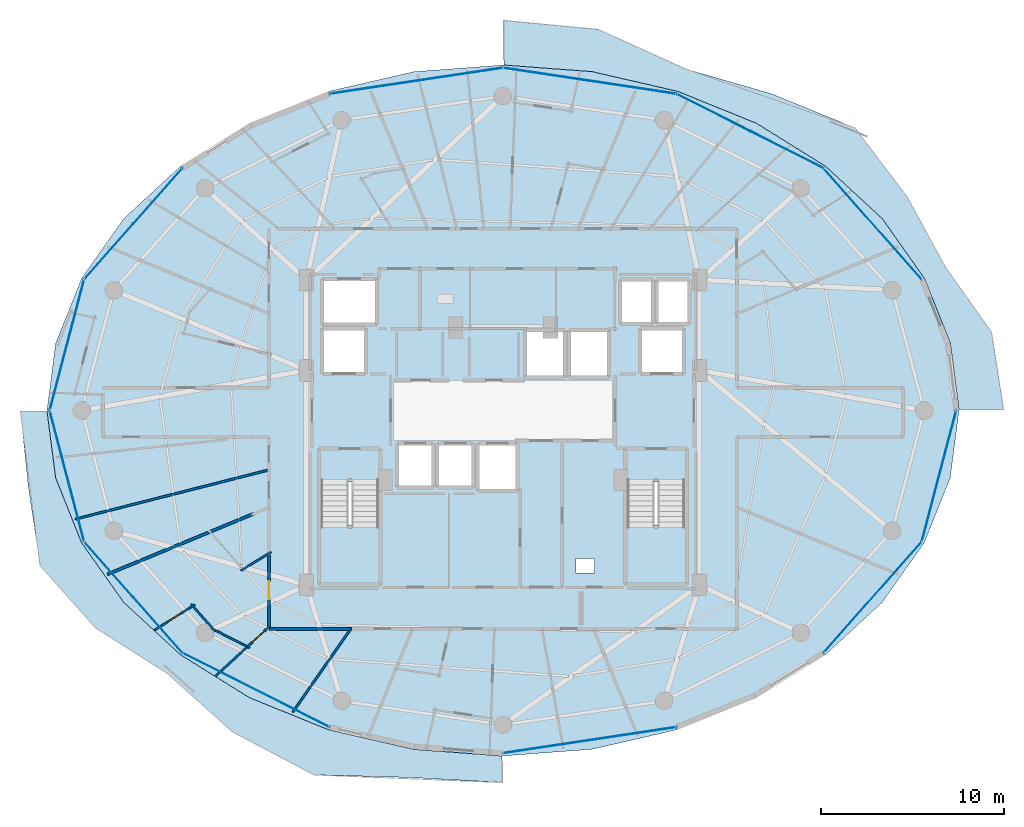
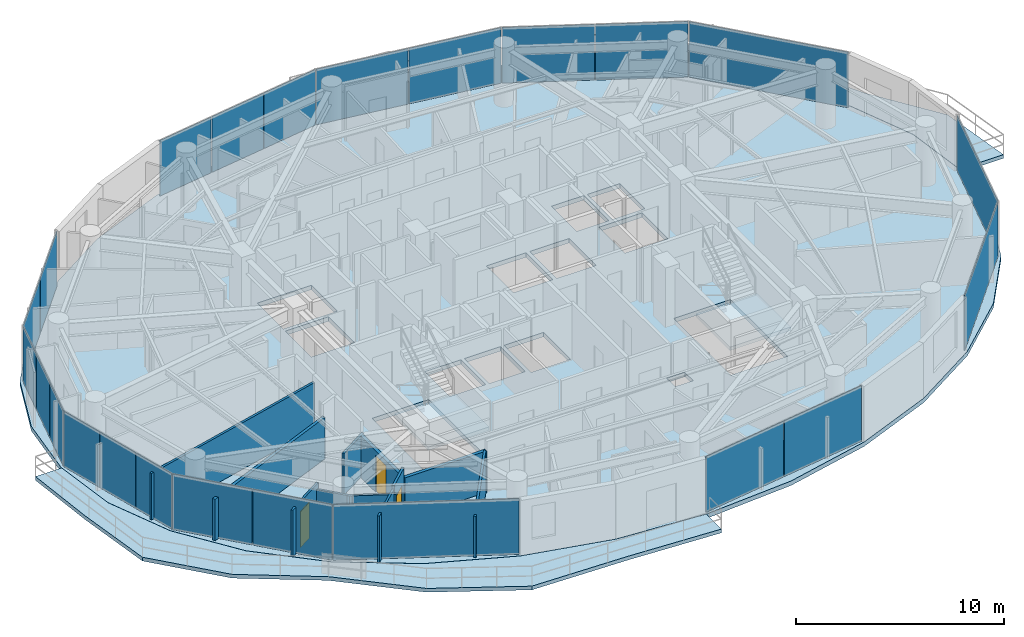
# One storey, part 19 of 28: 23 plates, 11 walls, 5 slabs, 3 doors, 3 openings, 6 elements without a shape of their own.
"""IFC4 building model written with IfcOpenShell, lengths in metres."""

from ifc_helpers import new_model, si_unit, direction, frame, frame_2d, origin, origin_2d, place, context, subcontext, project, spatial, polyline, rectangle, outline, extrude, material, layer, layer_set, type_object, element, fill, aggregate, save


model = new_model("IFC4")

# Units and contexts
model_context = context("Model", 3, precision=1e-05, world=origin(), true_north=direction((0.0, 1.0)))
body_context = subcontext(model_context, "Body", "Model", "MODEL_VIEW")
ifc_project = project(units=[si_unit("LENGTHUNIT", "METRE"), si_unit("AREAUNIT", "SQUARE_METRE"), si_unit("VOLUMEUNIT", "CUBIC_METRE"), si_unit("PLANEANGLEUNIT", "RADIAN"), si_unit("MASSUNIT", "GRAM", prefix="KILO")], contexts=[model_context])

# Site, building, storey
site_placement = place(None, origin())
site = spatial("IfcSite", under=ifc_project, at=site_placement, CompositionType="ELEMENT")
building_placement = place(site_placement, origin())
building = spatial("IfcBuilding", under=site, at=building_placement, Name="Vorneva Point Tower", CompositionType="ELEMENT")
storey_placement = place(building_placement, frame((0.0, 0.0, 146.60009765625)))
storey = spatial("IfcBuildingStorey", under=building, at=storey_placement, Name="L39", CompositionType="ELEMENT", Elevation=146.60009765625)

# Curtain wall, plates
ifc_material_1 = material(Name="Pale anodised aluminium", Category="aluminium")
curtain_wall_type = type_object("IfcCurtainWallType", Name="CW-RES-SYS", PredefinedType="NOTDEFINED", material=ifc_material_1)
curtain_wall_1_placement = place(storey_placement, origin())
curtain_wall_1 = element("IfcCurtainWall", 1, at=curtain_wall_1_placement, inside=storey, type_object=curtain_wall_type, Name="L39 Unitised Curtain Wall CW-L39-R01", PredefinedType="NOTDEFINED")
ifc_material_2 = material(Name="Double low-e laminated glass IGU", Category="glass")
ifc_layer_1 = layer(ifc_material_2, 0.035888671875)
ifc_layer_set_1 = layer_set([ifc_layer_1], Name="Double low-e laminated glass IGU")
plate_type = type_object("IfcPlateType", Name="CW-PNL-VIS", PredefinedType="CURTAIN_PANEL", material=ifc_layer_set_1)
plate_1_placement = place(storey_placement, frame((58.22412109375, 36.216796875, -0.02001953125), z_axis=(0.0, 0.0, 1.0), x_axis=(-0.662214727207, 0.749314123095, 0.0)))
plate_1 = element("IfcPlate", 2, at=plate_1_placement, type_object=plate_type, Name="CW-L39-R01 Glazed Panel 01", PredefinedType="CURTAIN_PANEL", context=body_context, shape_type="SweptSolid", body=[
    extrude(rectangle(XDim=8.068115234375, YDim=0.035888671875, at=origin_2d()), origin(), (0.0, 0.0, 1.0), 3.280029296875),
])
plate_2_placement = place(storey_placement, frame((53.52490234375, 40.2744140625, -0.02001953125), z_axis=(0.0, 0.0, 1.0), x_axis=(-0.892577949019, 0.450893119182, 0.0)))
plate_2 = element("IfcPlate", 3, at=plate_2_placement, type_object=plate_type, Name="CW-L39-R01 Glazed Panel 02A", PredefinedType="CURTAIN_PANEL", context=body_context, shape_type="SweptSolid", body=[
    extrude(rectangle(XDim=4.45703125, YDim=0.035888671875, at=origin_2d()), origin(), (0.0, 0.0, 1.0), 3.280029296875),
])
plate_3_placement = place(storey_placement, frame((49.501953125, 42.306640625, -0.02001953125), z_axis=(0.0, 0.0, 1.0), x_axis=(-0.892577949019, 0.450893119182, 0.0)))
plate_3 = element("IfcPlate", 4, at=plate_3_placement, type_object=plate_type, Name="CW-L39-R01 Glazed Panel 02B", PredefinedType="CURTAIN_PANEL", context=body_context, shape_type="SweptSolid", body=[
    extrude(rectangle(XDim=4.45703125, YDim=0.035888671875, at=origin_2d()), origin(), (0.0, 0.0, 1.0), 3.280029296875),
])
plate_4_placement = place(storey_placement, frame((45.117919921875, 43.679443359375, -0.02001953125), z_axis=(0.0, 0.0, 1.0), x_axis=(-0.988878712919, 0.148724211669, 0.0)))
plate_4 = element("IfcPlate", 5, at=plate_4_placement, type_object=plate_type, Name="CW-L39-R01 Glazed Panel 03A", PredefinedType="CURTAIN_PANEL", context=body_context, shape_type="SweptSolid", body=[
    extrude(rectangle(XDim=4.74853515625, YDim=0.035888671875, at=origin_2d()), origin(), (0.0, 0.0, 1.0), 3.280029296875),
])
plate_5_placement = place(storey_placement, frame((40.37255859375, 44.393310546875, -0.02001953125), z_axis=(0.0, 0.0, 1.0), x_axis=(-0.988878712919, 0.148724211669, 0.0)))
plate_5 = element("IfcPlate", 6, at=plate_5_placement, type_object=plate_type, Name="CW-L39-R01 Glazed Panel 03B", PredefinedType="CURTAIN_PANEL", context=body_context, shape_type="SweptSolid", body=[
    extrude(rectangle(XDim=4.74853515625, YDim=0.035888671875, at=origin_2d()), origin(), (0.0, 0.0, 1.0), 3.280029296875),
])
plate_6_placement = place(storey_placement, frame((36.418212890625, 44.51220703125, -0.02001953125), z_axis=(0.0, 0.0, 1.0), x_axis=(-0.988878712919, -0.148724211669, 0.0)))
plate_6 = element("IfcPlate", 7, at=plate_6_placement, type_object=plate_type, Name="CW-L39-R01 Glazed Panel 04A", PredefinedType="CURTAIN_PANEL", context=body_context, shape_type="SweptSolid", body=[
    extrude(rectangle(XDim=3.149169921875, YDim=0.035888671875, at=origin_2d()), origin(), (0.0, 0.0, 1.0), 3.280029296875),
])
plate_7_placement = place(storey_placement, frame((33.2548828125, 44.036376953125, -0.02001953125), z_axis=(0.0, 0.0, 1.0), x_axis=(-0.988878712919, -0.148724211669, 0.0)))
plate_7 = element("IfcPlate", 8, at=plate_7_placement, type_object=plate_type, Name="CW-L39-R01 Glazed Panel 04B", PredefinedType="CURTAIN_PANEL", context=body_context, shape_type="SweptSolid", body=[
    extrude(rectangle(XDim=3.149169921875, YDim=0.035888671875, at=origin_2d()), origin(), (0.0, 0.0, 1.0), 3.280029296875),
])
plate_8_placement = place(storey_placement, frame((30.09130859375, 43.560546875, -0.02001953125), z_axis=(0.0, 0.0, 1.0), x_axis=(-0.988878712919, -0.148724211669, 0.0)))
plate_8 = element("IfcPlate", 9, at=plate_8_placement, type_object=plate_type, Name="CW-L39-R01 Glazed Panel 04C", PredefinedType="CURTAIN_PANEL", context=body_context, shape_type="SweptSolid", body=[
    extrude(rectangle(XDim=3.149169921875, YDim=0.035888671875, at=origin_2d()), origin(), (0.0, 0.0, 1.0), 3.280029296875),
])
aggregate(curtain_wall_1, [plate_1, plate_2, plate_3, plate_4, plate_5, plate_6, plate_7, plate_8])

curtain_wall_2_placement = place(storey_placement, origin())
curtain_wall_2 = element("IfcCurtainWall", 10, at=curtain_wall_2_placement, inside=storey, type_object=curtain_wall_type, Name="L39 Unitised Curtain Wall CW-L39-R02", PredefinedType="NOTDEFINED")
plate_9_placement = place(storey_placement, frame((19.119873046875, 37.737548828125, -0.02001953125), z_axis=(0.0, 0.0, 1.0), x_axis=(-0.662214727207, -0.749314123095, 0.0)))
plate_9 = element("IfcPlate", 11, at=plate_9_placement, type_object=plate_type, Name="CW-L39-R02 Glazed Panel 01A", PredefinedType="CURTAIN_PANEL", context=body_context, shape_type="SweptSolid", body=[
    extrude(rectangle(XDim=4.009033203125, YDim=0.035888671875, at=origin_2d()), origin(), (0.0, 0.0, 1.0), 3.280029296875),
])
plate_10_placement = place(storey_placement, frame((16.431884765625, 34.696044921875, -0.02001953125), z_axis=(0.0, 0.0, 1.0), x_axis=(-0.662214727207, -0.749314123095, 0.0)))
plate_10 = element("IfcPlate", 12, at=plate_10_placement, type_object=plate_type, Name="CW-L39-R02 Glazed Panel 01B", PredefinedType="CURTAIN_PANEL", context=body_context, shape_type="SweptSolid", body=[
    extrude(rectangle(XDim=4.009033203125, YDim=0.035888671875, at=origin_2d()), origin(), (0.0, 0.0, 1.0), 3.280029296875),
])
plate_11_placement = place(storey_placement, frame((14.773193359375, 31.9794921875, -0.02001953125), z_axis=(0.0, 0.0, 1.0), x_axis=(-0.254433162972, -0.967090360608, 0.0)))
plate_11 = element("IfcPlate", 13, at=plate_11_placement, type_object=plate_type, Name="CW-L39-R02 Glazed Panel 02A", PredefinedType="CURTAIN_PANEL", context=body_context, shape_type="SweptSolid", body=[
    extrude(rectangle(XDim=2.423095703125, YDim=0.035888671875, at=origin_2d()), origin(), (0.0, 0.0, 1.0), 3.280029296875),
])
plate_12_placement = place(storey_placement, frame((14.143798828125, 29.587646484375, -0.02001953125), z_axis=(0.0, 0.0, 1.0), x_axis=(-0.254433162972, -0.967090360608, 0.0)))
plate_12 = element("IfcPlate", 14, at=plate_12_placement, type_object=plate_type, Name="CW-L39-R02 Glazed Panel 02B", PredefinedType="CURTAIN_PANEL", context=body_context, shape_type="SweptSolid", body=[
    extrude(rectangle(XDim=2.423095703125, YDim=0.035888671875, at=origin_2d()), origin(), (0.0, 0.0, 1.0), 3.280029296875),
])
plate_13_placement = place(storey_placement, frame((13.5146484375, 27.19580078125, -0.02001953125), z_axis=(0.0, 0.0, 1.0), x_axis=(-0.254433162972, -0.967090360608, 0.0)))
plate_13 = element("IfcPlate", 15, at=plate_13_placement, type_object=plate_type, Name="CW-L39-R02 Glazed Panel 02C", PredefinedType="CURTAIN_PANEL", context=body_context, shape_type="SweptSolid", body=[
    extrude(rectangle(XDim=2.423095703125, YDim=0.035888671875, at=origin_2d()), origin(), (0.0, 0.0, 1.0), 3.280029296875),
])
plate_14_placement = place(storey_placement, frame((13.5146484375, 24.80419921875, -0.02001953125), z_axis=(0.0, 0.0, 1.0), x_axis=(0.254433162972, -0.967090360608, 0.0)))
plate_14 = element("IfcPlate", 16, at=plate_14_placement, type_object=plate_type, Name="CW-L39-R02 Glazed Panel 03A", PredefinedType="CURTAIN_PANEL", context=body_context, shape_type="SweptSolid", body=[
    extrude(rectangle(XDim=2.423095703125, YDim=0.035888671875, at=origin_2d()), origin(), (0.0, 0.0, 1.0), 3.280029296875),
])
plate_15_placement = place(storey_placement, frame((14.143798828125, 22.412353515625, -0.02001953125), z_axis=(0.0, 0.0, 1.0), x_axis=(0.254433162972, -0.967090360608, 0.0)))
plate_15 = element("IfcPlate", 17, at=plate_15_placement, type_object=plate_type, Name="CW-L39-R02 Glazed Panel 03B", PredefinedType="CURTAIN_PANEL", context=body_context, shape_type="SweptSolid", body=[
    extrude(rectangle(XDim=2.423095703125, YDim=0.035888671875, at=origin_2d()), origin(), (0.0, 0.0, 1.0), 3.280029296875),
])
plate_16_placement = place(storey_placement, frame((14.773193359375, 20.0205078125, -0.02001953125), z_axis=(0.0, 0.0, 1.0), x_axis=(0.254433162972, -0.967090360608, 0.0)))
plate_16 = element("IfcPlate", 18, at=plate_16_placement, type_object=plate_type, Name="CW-L39-R02 Glazed Panel 03C", PredefinedType="CURTAIN_PANEL", context=body_context, shape_type="SweptSolid", body=[
    extrude(rectangle(XDim=2.423095703125, YDim=0.035888671875, at=origin_2d()), origin(), (0.0, 0.0, 1.0), 3.280029296875),
])
plate_17_placement = place(storey_placement, frame((16.431884765625, 17.303955078125, -0.02001953125), z_axis=(0.0, 0.0, 1.0), x_axis=(0.662214727207, -0.749314123095, 0.0)))
plate_17 = element("IfcPlate", 19, at=plate_17_placement, type_object=plate_type, Name="CW-L39-R02 Glazed Panel 04A", PredefinedType="CURTAIN_PANEL", context=body_context, shape_type="SweptSolid", body=[
    extrude(rectangle(XDim=4.009033203125, YDim=0.035888671875, at=origin_2d()), origin(), (0.0, 0.0, 1.0), 3.280029296875),
])
plate_18_placement = place(storey_placement, frame((19.119873046875, 14.262451171875, -0.02001953125), z_axis=(0.0, 0.0, 1.0), x_axis=(0.662214727207, -0.749314123095, 0.0)))
plate_18 = element("IfcPlate", 20, at=plate_18_placement, type_object=plate_type, Name="CW-L39-R02 Glazed Panel 04B", PredefinedType="CURTAIN_PANEL", context=body_context, shape_type="SweptSolid", body=[
    extrude(rectangle(XDim=4.009033203125, YDim=0.035888671875, at=origin_2d()), origin(), (0.0, 0.0, 1.0), 3.280029296875),
])
plate_19_placement = place(storey_placement, frame((24.486572265625, 10.70947265625, -0.02001953125), z_axis=(0.0, 0.0, 1.0), x_axis=(0.892577949019, -0.450893119182, 0.0)))
plate_19 = element("IfcPlate", 21, at=plate_19_placement, type_object=plate_type, Name="CW-L39-R02 Glazed Panel 05", PredefinedType="CURTAIN_PANEL", context=body_context, shape_type="SweptSolid", body=[
    extrude(rectangle(XDim=8.964111328125, YDim=0.035888671875, at=origin_2d()), origin(), (0.0, 0.0, 1.0), 3.280029296875),
])
aggregate(curtain_wall_2, [plate_9, plate_10, plate_11, plate_12, plate_13, plate_14, plate_15, plate_16, plate_17, plate_18, plate_19])

curtain_wall_3_placement = place(storey_placement, origin())
curtain_wall_3 = element("IfcCurtainWall", 22, at=curtain_wall_3_placement, inside=storey, type_object=curtain_wall_type, Name="L39 Unitised Curtain Wall CW-L39-R03", PredefinedType="NOTDEFINED")
plate_20_placement = place(storey_placement, frame((40.37255859375, 7.606689453125, -0.02001953125), z_axis=(0.0, 0.0, 1.0), x_axis=(0.988878712919, 0.148724211669, 0.0)))
plate_20 = element("IfcPlate", 23, at=plate_20_placement, type_object=plate_type, Name="CW-L39-R03 Glazed Panel 01A", PredefinedType="CURTAIN_PANEL", context=body_context, shape_type="SweptSolid", body=[
    extrude(rectangle(XDim=4.74853515625, YDim=0.035888671875, at=origin_2d()), origin(), (0.0, 0.0, 1.0), 3.280029296875),
])
plate_21_placement = place(storey_placement, frame((45.117919921875, 8.320556640625, -0.02001953125), z_axis=(0.0, 0.0, 1.0), x_axis=(0.988878712919, 0.148724211669, 0.0)))
plate_21 = element("IfcPlate", 24, at=plate_21_placement, type_object=plate_type, Name="CW-L39-R03 Glazed Panel 01B", PredefinedType="CURTAIN_PANEL", context=body_context, shape_type="SweptSolid", body=[
    extrude(rectangle(XDim=4.74853515625, YDim=0.035888671875, at=origin_2d()), origin(), (0.0, 0.0, 1.0), 3.280029296875),
])
aggregate(curtain_wall_3, [plate_20, plate_21])

curtain_wall_4_placement = place(storey_placement, origin())
curtain_wall_4 = element("IfcCurtainWall", 25, at=curtain_wall_4_placement, inside=storey, type_object=curtain_wall_type, Name="L39 Unitised Curtain Wall CW-L39-R04", PredefinedType="NOTDEFINED")
plate_22_placement = place(storey_placement, frame((58.22412109375, 15.783203125, -0.02001953125), z_axis=(0.0, 0.0, 1.0), x_axis=(0.662214727207, 0.749314123095, 0.0)))
plate_22 = element("IfcPlate", 26, at=plate_22_placement, type_object=plate_type, Name="CW-L39-R04 Glazed Panel 01", PredefinedType="CURTAIN_PANEL", context=body_context, shape_type="SweptSolid", body=[
    extrude(rectangle(XDim=8.068115234375, YDim=0.035888671875, at=origin_2d()), origin(), (0.0, 0.0, 1.0), 3.280029296875),
])
plate_23_placement = place(storey_placement, frame((61.856201171875, 22.412353515625, -0.02001953125), z_axis=(0.0, 0.0, 1.0), x_axis=(0.254433162972, 0.967090360608, 0.0)))
plate_23 = element("IfcPlate", 27, at=plate_23_placement, type_object=plate_type, Name="CW-L39-R04 Glazed Panel 02", PredefinedType="CURTAIN_PANEL", context=body_context, shape_type="SweptSolid", body=[
    extrude(rectangle(XDim=7.369384765625, YDim=0.035888671875, at=origin_2d()), origin(), (0.0, 0.0, 1.0), 3.280029296875),
])
aggregate(curtain_wall_4, [plate_22, plate_23])

# Slabs
ifc_material_3 = material(Name="Concrete B50 (C40/50)", Category="concrete")
ifc_layer_2 = layer(ifc_material_3, 0.219970703125)
ifc_layer_set_2 = layer_set([ifc_layer_2], Name="Concrete B50 (C40/50)")
slab_type_1 = type_object("IfcSlabType", Name="SLB-BAL-220", PredefinedType="FLOOR", material=ifc_layer_set_2)
slab_1_placement = place(storey_placement, frame((0.0, 0.0, -0.22021484375)))
element("IfcSlab", 28, at=slab_1_placement, inside=storey, type_object=slab_type_1, Name="L39 Cantilevered Wave Balcony NE", PredefinedType="FLOOR", context=body_context, shape_type="SweptSolid", body=[
    extrude(outline(polyline([(38.050048828125, 47.34033203125), (38.050048828125, 44.900390625), (42.867919921875, 44.540771484375), (42.8681640625, 44.540771484375), (42.868408203125, 44.540771484375), (47.548828125, 43.465087890625), (47.54931640625, 43.465087890625), (47.549560546875, 43.465087890625), (51.863037109375, 41.718505859375), (51.86328125, 41.718505859375), (51.863525390625, 41.71826171875), (55.644287109375, 39.36767578125), (55.644775390625, 39.367431640625), (55.64501953125, 39.3671875), (58.747802734375, 36.503173828125), (58.748291015625, 36.5029296875), (58.74853515625, 36.502685546875), (61.05419921875, 33.235107421875), (61.05419921875, 33.234619140625), (61.054443359375, 33.234130859375), (62.474365234375, 29.688720703125), (62.474365234375, 29.6884765625), (62.474609375, 29.68798828125), (62.474609375, 29.687744140625), (62.947509765625, 26.050048828125), (65.38720703125, 26.050048828125), (64.73291015625, 30.28125), (62.1943359375, 33.85791015625), (60.10498046875, 37.699951171875), (57.242431640625, 41.476806640625), (52.680419921875, 43.332763671875), (47.93798828125, 44.704833984375), (43.216064453125, 46.849609375), (38.050048828125, 47.34033203125)])), origin(), (0.0, 0.0, 1.0), 0.22021484375),
])
slab_2_placement = place(storey_placement, frame((0.0, 0.0, -0.22021484375)))
element("IfcSlab", 29, at=slab_2_placement, inside=storey, type_object=slab_type_1, Name="L39 Cantilevered Wave Balcony SW", PredefinedType="FLOOR", context=body_context, shape_type="SweptSolid", body=[
    extrude(outline(polyline([(37.949951171875, 5.647705078125), (37.949951171875, 7.099609375), (33.132080078125, 7.459228515625), (33.1318359375, 7.459228515625), (33.131591796875, 7.459228515625), (28.451171875, 8.534912109375), (28.45068359375, 8.534912109375), (28.450439453125, 8.534912109375), (24.136962890625, 10.281494140625), (24.13671875, 10.281494140625), (24.136474609375, 10.28173828125), (20.355712890625, 12.63232421875), (20.355224609375, 12.632568359375), (20.35498046875, 12.6328125), (17.252197265625, 15.496826171875), (17.251708984375, 15.4970703125), (17.25146484375, 15.497314453125), (14.94580078125, 18.764892578125), (14.94580078125, 18.765380859375), (14.945556640625, 18.765869140625), (13.525634765625, 22.311279296875), (13.525634765625, 22.3115234375), (13.525390625, 22.31201171875), (13.525390625, 22.312255859375), (13.052490234375, 25.949951171875), (11.60009765625, 25.949951171875), (12.01953125, 21.916259765625), (12.6708984375, 17.521484375), (15.68994140625, 14.119384765625), (19.602783203125, 11.639404296875), (23.1962890625, 8.423583984375), (27.674560546875, 6.06103515625), (32.89990234375, 5.91943359375), (37.949951171875, 5.647705078125)])), origin(), (0.0, 0.0, 1.0), 0.22021484375),
])

# Stair, slab
stair_type = type_object("IfcStairType", Name="ST-DOG-1500", PredefinedType="HALF_TURN_STAIR", material=ifc_material_3)
stair_1_placement = place(storey_placement, origin())
stair_1 = element("IfcStair", 30, at=stair_1_placement, inside=storey, type_object=stair_type, Name="L39 ST1", PredefinedType="HALF_TURN_STAIR")
ifc_layer_3 = layer(ifc_material_3, 0.199951171875)
ifc_layer_set_3 = layer_set([ifc_layer_3], Name="Concrete B50 (C40/50)")
slab_type_2 = type_object("IfcSlabType", Name="SLB-LND-200", PredefinedType="LANDING", material=ifc_layer_set_3)
slab_3_placement = place(storey_placement, frame((0.0, 0.0, 1.5498046875)))
slab_3 = element("IfcSlab", 31, at=slab_3_placement, type_object=slab_type_2, Name="ST1 landing 1", PredefinedType="LANDING", context=body_context, shape_type="SweptSolid", body=[
    extrude(outline(polyline([(27.929931640625, 16.47998046875), (31.320068359375, 16.47998046875), (31.320068359375, 19.72998046875), (27.929931640625, 19.72998046875), (27.929931640625, 16.47998046875)])), origin(), (0.0, 0.0, 1.0), 0.2001953125),
])
aggregate(stair_1, [slab_3])

stair_2_placement = place(storey_placement, origin())
stair_2 = element("IfcStair", 32, at=stair_2_placement, inside=storey, type_object=stair_type, Name="L39 ST2", PredefinedType="HALF_TURN_STAIR")
slab_4_placement = place(storey_placement, frame((0.0, 0.0, 1.5498046875)))
slab_4 = element("IfcSlab", 33, at=slab_4_placement, type_object=slab_type_2, Name="ST2 landing 1", PredefinedType="LANDING", context=body_context, shape_type="SweptSolid", body=[
    extrude(outline(polyline([(44.679931640625, 16.47998046875), (48.070068359375, 16.47998046875), (48.070068359375, 19.72998046875), (44.679931640625, 19.72998046875), (44.679931640625, 16.47998046875)])), origin(), (0.0, 0.0, 1.0), 0.2001953125),
])
aggregate(stair_2, [slab_4])

# Slab
ifc_layer_4 = layer(ifc_material_3, 0.260009765625)
ifc_layer_set_4 = layer_set([ifc_layer_4], Name="Concrete B50 (C40/50)")
slab_type_3 = type_object("IfcSlabType", Name="SLB-TYP-260", PredefinedType="FLOOR", material=ifc_layer_set_4)
slab_5_placement = place(storey_placement, frame((0.0, 0.0, -0.260009765625)))
element("IfcSlab", 34, at=slab_5_placement, inside=storey, type_object=slab_type_3, Name="L39 Structural Floor Plate", PredefinedType="FLOOR", context=body_context, shape_type="SweptSolid", body=[
    extrude(outline(polyline([(62.949951171875, 26.0), (62.470703125, 29.687255859375), (61.05078125, 33.232666015625), (58.7451171875, 36.500244140625), (55.642333984375, 39.3642578125), (51.861572265625, 41.71484375), (47.548095703125, 43.461181640625), (42.867431640625, 44.536865234375), (38.0, 44.89990234375), (33.132568359375, 44.536865234375), (28.451904296875, 43.461181640625), (24.138427734375, 41.71484375), (20.357666015625, 39.3642578125), (17.2548828125, 36.500244140625), (14.94921875, 33.232666015625), (13.529296875, 29.687255859375), (13.050048828125, 26.0), (13.529296875, 22.312744140625), (14.94921875, 18.767333984375), (17.2548828125, 15.499755859375), (20.357666015625, 12.6357421875), (24.138427734375, 10.28515625), (28.451904296875, 8.538818359375), (33.132568359375, 7.463134765625), (38.0, 7.10009765625), (42.867431640625, 7.463134765625), (47.548095703125, 8.538818359375), (51.861572265625, 10.28515625), (55.642333984375, 12.6357421875), (58.7451171875, 15.499755859375), (61.05078125, 18.767333984375), (62.470703125, 22.312744140625), (62.949951171875, 26.0)]), holes=[polyline([(32.199951171875, 21.800048828125), (34.199951171875, 21.800048828125), (34.199951171875, 24.199951171875), (32.199951171875, 24.199951171875), (32.199951171875, 21.800048828125)]), polyline([(34.39990234375, 21.800048828125), (36.39990234375, 21.800048828125), (36.39990234375, 24.199951171875), (34.39990234375, 24.199951171875), (34.39990234375, 21.800048828125)]), polyline([(36.60009765625, 21.60009765625), (38.800048828125, 21.60009765625), (38.800048828125, 24.199951171875), (36.60009765625, 24.199951171875), (36.60009765625, 21.60009765625)]), polyline([(39.199951171875, 27.800048828125), (41.39990234375, 27.800048828125), (41.39990234375, 30.39990234375), (39.199951171875, 30.39990234375), (39.199951171875, 27.800048828125)]), polyline([(41.60009765625, 27.800048828125), (43.800048828125, 27.800048828125), (43.800048828125, 30.39990234375), (41.60009765625, 30.39990234375), (41.60009765625, 27.800048828125)]), polyline([(44.39990234375, 30.739990234375), (46.199951171875, 30.739990234375), (46.199951171875, 33.159912109375), (44.39990234375, 33.159912109375), (44.39990234375, 30.739990234375)]), polyline([(46.39990234375, 30.739990234375), (48.199951171875, 30.739990234375), (48.199951171875, 33.159912109375), (46.39990234375, 33.159912109375), (46.39990234375, 30.739990234375)]), polyline([(28.10009765625, 28.0), (30.5, 28.0), (30.5, 30.5), (28.10009765625, 30.5), (28.10009765625, 28.0)]), polyline([(45.5, 28.0), (47.89990234375, 28.0), (47.89990234375, 30.5), (45.5, 30.5), (45.5, 28.0)]), polyline([(28.10009765625, 30.699951171875), (31.10009765625, 30.699951171875), (31.10009765625, 33.199951171875), (28.10009765625, 33.199951171875), (28.10009765625, 30.699951171875)]), polyline([(28.050048828125, 16.60009765625), (31.199951171875, 16.60009765625), (31.199951171875, 22.080078125), (28.050048828125, 22.080078125), (28.050048828125, 16.60009765625)]), polyline([(44.800048828125, 16.60009765625), (47.949951171875, 16.60009765625), (47.949951171875, 22.080078125), (44.800048828125, 22.080078125), (44.800048828125, 16.60009765625)]), polyline([(42.0, 17.10009765625), (43.0, 17.10009765625), (43.0, 17.89990234375), (42.0, 17.89990234375), (42.0, 17.10009765625)])]), origin(), (0.0, 0.0, 1.0), 0.260009765625),
])

# Walls
ifc_material_4 = material(Name="Fire-rated acoustic gypsum stud partition", Category="gypsum")
ifc_layer_5 = layer(ifc_material_4, 0.110107421875)
ifc_layer_set_5 = layer_set([ifc_layer_5], Name="Fire-rated acoustic gypsum stud partition")
wall_type_1 = type_object("IfcWallType", Name="WL-PART-110", PredefinedType="PARTITIONING", material=ifc_layer_set_5)
wall_1_placement = place(storey_placement, frame((25.319580078125, 18.257080078125, 0.0), z_axis=(0.0, 0.0, 1.0), x_axis=(-0.853368681548, -0.52130786811, 0.0)))
element("IfcWall", 35, at=wall_1_placement, inside=storey, type_object=wall_type_1, Name="L39 Interior Partition 116", PredefinedType="PARTITIONING", context=body_context, shape_type="SweptSolid", body=[
    extrude(rectangle(XDim=1.9453125, YDim=0.110107421875, at=frame_2d((0.97265625, 0.0))), origin(), (0.0, 0.0, 1.0), 2.431884765625),
])
wall_2_placement = place(storey_placement, frame((20.935302734375, 15.408935546875, 0.0), z_axis=(0.0, 0.0, 1.0), x_axis=(0.66216897397, -0.749354555542, 0.0)))
element("IfcWall", 36, at=wall_2_placement, inside=storey, type_object=wall_type_1, Name="L39 Interior Partition 118", PredefinedType="PARTITIONING", context=body_context, shape_type="SweptSolid", body=[
    extrude(rectangle(XDim=1.990966796875, YDim=0.110107421875, at=frame_2d((0.99560546875, 0.0))), origin(), (0.0, 0.0, 1.0), 2.431884765625),
])
wall_3_placement = place(storey_placement, frame((22.0361328125, 14.085205078125, 0.0), z_axis=(0.0, 0.0, 1.0), x_axis=(0.892312874209, -0.451417472548, 0.0)))
element("IfcWall", 37, at=wall_3_placement, inside=storey, type_object=wall_type_1, Name="L39 Interior Partition 119", PredefinedType="PARTITIONING", context=body_context, shape_type="SweptSolid", body=[
    extrude(rectangle(XDim=2.36669921875, YDim=0.110107421875, at=frame_2d((1.183349609375, 0.0))), origin(), (0.0, 0.0, 1.0), 2.431884765625),
])

# Wall, opening, door
wall_4_placement = place(storey_placement, frame((18.924560546875, 13.978515625, 0.0), z_axis=(0.0, 0.0, 1.0), x_axis=(0.846034075758, 0.533128823697, 0.0)))
wall_4 = element("IfcWall", 38, at=wall_4_placement, inside=storey, type_object=wall_type_1, Name="L39 Interior Partition 120", PredefinedType="PARTITIONING", context=body_context, shape_type="SweptSolid", body=[
    extrude(rectangle(XDim=2.626220703125, YDim=0.110107421875, at=frame_2d((1.31298828125, 0.0))), origin(), (0.0, 0.0, 1.0), 2.727783203125),
])
opening_1_placement = place(wall_4_placement, frame((0.863037109375, 0.0, 0.0)))
opening_1 = element("IfcOpeningElement", 39, at=opening_1_placement, cuts=wall_4, Name="Opening ID-01", PredefinedType="OPENING", context=body_context, shape_type="SweptSolid", body=[
    extrude(rectangle(XDim=0.89990234375, YDim=2.10009765625, at=frame_2d((0.449951171875, 1.050048828125))), frame((0.0, 0.06982421875, 0.0), z_axis=(0.0, -1.0, 0.0), x_axis=(1.0, 0.0, 0.0)), (0.0, 0.0, 1.0), 0.139892578125),
])
ifc_material_5 = material(Name="Engineered oak fire-rated door leaf", Category="wood")
door_type_1 = type_object("IfcDoorType", Name="DR-ROOM-900", OperationType="NOTDEFINED", PredefinedType="DOOR", material=ifc_material_5)
door_1_placement = place(opening_1_placement, origin())
door_1 = element("IfcDoor", 40, at=door_1_placement, inside=storey, type_object=door_type_1, Name="L39 Door Living and Dining Room L39-05 / Kitchen L39-05", OperationType="SINGLE_SWING_RIGHT", OverallHeight=2.10009765625, OverallWidth=0.89990234375, PredefinedType="DOOR", context=body_context, shape_type="SweptSolid", body=[
    extrude(rectangle(XDim=0.89990234375, YDim=2.10009765625, at=frame_2d((0.449951171875, 1.050048828125))), frame((0.0, 0.02490234375, 0.0), z_axis=(0.0, -1.0, 0.0), x_axis=(1.0, 0.0, 0.0)), (0.0, 0.0, 1.0), 0.050048828125),
])
fill(opening_1, door_1)

# Walls
wall_5_placement = place(storey_placement, frame((22.273193359375, 11.462890625, 0.0), z_axis=(0.0, 0.0, 1.0), x_axis=(0.73438401738, 0.678734200565, 0.0)))
element("IfcWall", 41, at=wall_5_placement, inside=storey, type_object=wall_type_1, Name="L39 Interior Partition 122", PredefinedType="PARTITIONING", context=body_context, shape_type="SweptSolid", body=[
    extrude(rectangle(XDim=2.5224609375, YDim=0.110107421875, at=frame_2d((1.26123046875, 0.0))), origin(), (0.0, 0.0, 1.0), 2.727783203125),
])
ifc_layer_6 = layer(ifc_material_4, 0.125)
ifc_layer_set_6 = layer_set([ifc_layer_6], Name="Fire-rated acoustic gypsum stud partition")
wall_type_2 = type_object("IfcWallType", Name="WL-PART-125", PredefinedType="PARTITIONING", material=ifc_layer_set_6)
wall_6_placement = place(storey_placement, frame((14.594970703125, 20.055908203125, 0.0), z_axis=(0.0, 0.0, 1.0), x_axis=(0.969235416515, 0.246135546747, 0.0)))
element("IfcWall", 42, at=wall_6_placement, inside=storey, type_object=wall_type_2, Name="L39 Interior Partition 113", PredefinedType="PARTITIONING", context=body_context, shape_type="SweptSolid", body=[
    extrude(rectangle(XDim=10.941650390625, YDim=0.125, at=frame_2d((5.470703125, 0.0))), origin(), (0.0, 0.0, 1.0), 2.727783203125),
])

# Wall, opening, door
wall_7_placement = place(storey_placement, frame((24.02294921875, 13.080078125, 0.0), z_axis=(0.0, 0.0, 1.0), x_axis=(0.734359451791, 0.678760779336, 0.0)))
wall_7 = element("IfcWall", 43, at=wall_7_placement, inside=storey, type_object=wall_type_2, Name="L39 Interior Partition 121", PredefinedType="PARTITIONING", context=body_context, shape_type="SweptSolid", body=[
    extrude(rectangle(XDim=1.602783203125, YDim=0.125, at=frame_2d((0.80126953125, 0.0))), origin(), (0.0, 0.0, 1.0), 2.921875),
])
opening_2_placement = place(wall_7_placement, frame((0.351318359375, 0.0, 0.0)))
opening_2 = element("IfcOpeningElement", 44, at=opening_2_placement, cuts=wall_7, Name="Opening ID-01", PredefinedType="OPENING", context=body_context, shape_type="SweptSolid", body=[
    extrude(rectangle(XDim=0.89990234375, YDim=2.10009765625, at=frame_2d((0.449951171875, 1.050048828125))), frame((0.0, 0.077392578125, 0.0), z_axis=(0.0, -1.0, 0.0), x_axis=(1.0, 0.0, 0.0)), (0.0, 0.0, 1.0), 0.15478515625),
])
door_2_placement = place(opening_2_placement, origin())
door_2 = element("IfcDoor", 45, at=door_2_placement, inside=storey, type_object=door_type_1, Name="L39 Door Living and Dining Room L39-05 / Master Bedroom L39-05.1", OperationType="SINGLE_SWING_LEFT", OverallHeight=2.10009765625, OverallWidth=0.89990234375, PredefinedType="DOOR", context=body_context, shape_type="SweptSolid", body=[
    extrude(rectangle(XDim=0.89990234375, YDim=2.10009765625, at=frame_2d((0.449951171875, 1.050048828125))), frame((0.0, 0.02490234375, 0.0), z_axis=(0.0, -1.0, 0.0), x_axis=(1.0, 0.0, 0.0)), (0.0, 0.0, 1.0), 0.050048828125),
])
fill(opening_2, door_2)

# Walls
wall_8_placement = place(storey_placement, frame((26.4951171875, 9.492919921875, 0.0), z_axis=(0.0, 0.0, 1.0), x_axis=(0.571744252323, 0.820431904509, 0.0)))
element("IfcWall", 46, at=wall_8_placement, inside=storey, type_object=wall_type_2, Name="L39 Interior Partition 123", PredefinedType="PARTITIONING", context=body_context, shape_type="SweptSolid", body=[
    extrude(rectangle(XDim=5.554443359375, YDim=0.125, at=frame_2d((2.77734375, 0.0))), origin(), (0.0, 0.0, 1.0), 2.431884765625),
])
ifc_layer_7 = layer(ifc_material_4, 0.159912109375)
ifc_layer_set_7 = layer_set([ifc_layer_7], Name="Fire-rated acoustic gypsum stud partition")
wall_type_3 = type_object("IfcWallType", Name="WL-PART-160", PredefinedType="PARTITIONING", material=ifc_layer_set_7)
wall_9_placement = place(storey_placement, frame((16.35498046875, 17.034912109375, 0.0), z_axis=(0.0, 0.0, 1.0), x_axis=(0.923885339237, 0.382669413387, 0.0)))
element("IfcWall", 47, at=wall_9_placement, inside=storey, type_object=wall_type_3, Name="L39 Interior Partition 114", PredefinedType="PARTITIONING", context=body_context, shape_type="SweptSolid", body=[
    extrude(rectangle(XDim=8.689453125, YDim=0.159912109375, at=frame_2d((4.3447265625, 0.0))), origin(), (0.0, 0.0, 1.0), 2.431884765625),
])

# Wall, opening, door
ifc_material_6 = material(Name="Autoclaved aerated concrete blockwork", Category="masonry")
ifc_layer_8 = layer(ifc_material_6, 0.179931640625)
ifc_layer_set_8 = layer_set([ifc_layer_8], Name="Autoclaved aerated concrete blockwork")
wall_type_4 = type_object("IfcWallType", Name="WL-PART-180", PredefinedType="PARTITIONING", material=ifc_layer_set_8)
wall_10_placement = place(storey_placement, frame((25.199951171875, 18.243896484375, 0.0), z_axis=(0.0, 0.0, 1.0), x_axis=(0.0, -1.0, 0.0)))
wall_10 = element("IfcWall", 48, at=wall_10_placement, inside=storey, type_object=wall_type_4, Name="L39 Interior Partition 053", PredefinedType="PARTITIONING", context=body_context, shape_type="SweptSolid", body=[
    extrude(rectangle(XDim=4.157958984375, YDim=0.179931640625, at=frame_2d((2.0791015625, 0.0))), origin(), (0.0, 0.0, 1.0), 2.431884765625),
])
opening_3_placement = place(wall_10_placement, frame((1.5791015625, 0.0, 0.0)))
opening_3 = element("IfcOpeningElement", 49, at=opening_3_placement, cuts=wall_10, Name="Opening UD-01", PredefinedType="OPENING", context=body_context, shape_type="SweptSolid", body=[
    extrude(rectangle(XDim=1.0, YDim=2.14990234375, at=frame_2d((0.5, 1.074951171875))), frame((0.0, 0.10498046875, 0.0), z_axis=(0.0, -1.0, 0.0), x_axis=(1.0, 0.0, 0.0)), (0.0, 0.0, 1.0), 0.209716796875),
])
door_type_2 = type_object("IfcDoorType", Name="DR-UNIT-1000", OperationType="NOTDEFINED", PredefinedType="DOOR", material=ifc_material_5)
door_3_placement = place(opening_3_placement, origin())
door_3 = element("IfcDoor", 50, at=door_3_placement, inside=storey, type_object=door_type_2, Name="L39 Door L39 Circulation Corridor / Living and Dining Room L39-05", OperationType="SINGLE_SWING_LEFT", OverallHeight=2.14990234375, OverallWidth=1.0, PredefinedType="DOOR", context=body_context, shape_type="SweptSolid", body=[
    extrude(rectangle(XDim=1.0, YDim=2.14990234375, at=frame_2d((0.5, 1.074951171875))), frame((0.0, 0.02490234375, 0.0), z_axis=(0.0, -1.0, 0.0), x_axis=(1.0, 0.0, 0.0)), (0.0, 0.0, 1.0), 0.050048828125),
])
fill(opening_3, door_3)

# Wall
wall_11_placement = place(storey_placement, frame((25.199951171875, 14.050048828125, 0.0), z_axis=(0.0, 0.0, 1.0), x_axis=(1.0, 0.0, 0.0)))
element("IfcWall", 51, at=wall_11_placement, inside=storey, type_object=wall_type_4, Name="L39 Interior Partition 055", PredefinedType="PARTITIONING", context=body_context, shape_type="SweptSolid", body=[
    extrude(rectangle(XDim=4.531005859375, YDim=0.179931640625, at=frame_2d((2.265625, 0.0))), origin(), (0.0, 0.0, 1.0), 2.431884765625),
])

save(model, "model.ifc")
